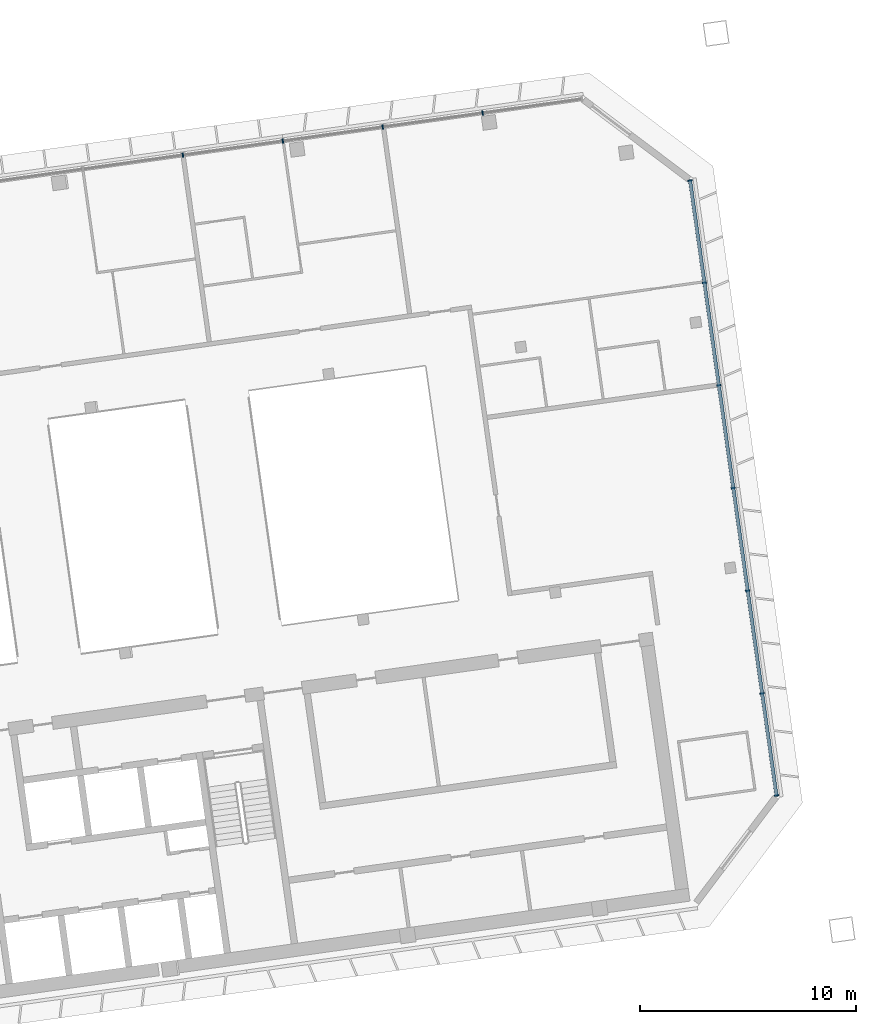
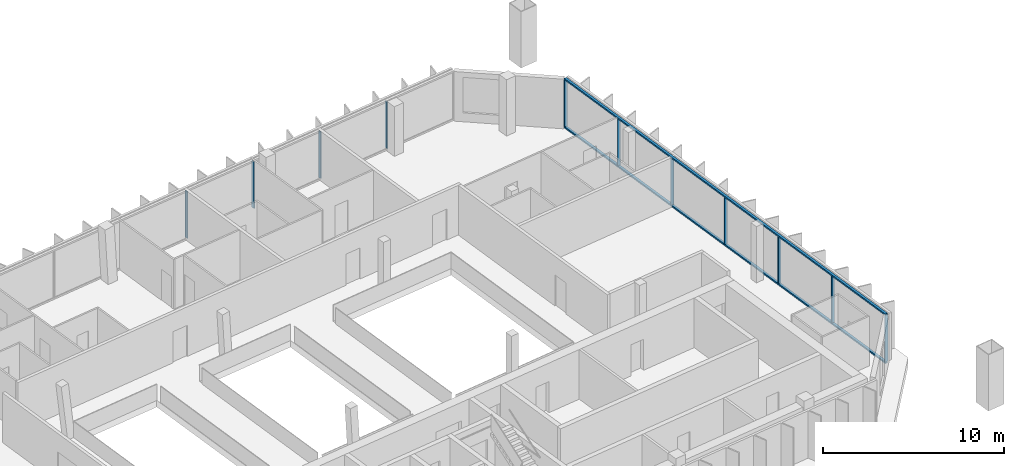
# One storey, part 9 of 20: 13 members, 2 elements without a shape of their own.
"""IFC4 building model written with IfcOpenShell, lengths in metres."""

from ifc_helpers import new_model, si_unit, direction, frame, origin, origin_2d, place, context, subcontext, project, spatial, rectangle, extrude, material, material_profile, profile_set, type_object, element, aggregate, save


model = new_model("IFC4")

# Units and contexts
model_context = context("Model", 3, precision=1e-05, world=origin(), true_north=direction((0.0, 1.0)))
body_context = subcontext(model_context, "Body", "Model", "MODEL_VIEW")
ifc_project = project(units=[si_unit("LENGTHUNIT", "METRE"), si_unit("AREAUNIT", "SQUARE_METRE"), si_unit("VOLUMEUNIT", "CUBIC_METRE"), si_unit("PLANEANGLEUNIT", "RADIAN"), si_unit("MASSUNIT", "GRAM", prefix="KILO")], contexts=[model_context])

# Site, building, storey
site_placement = place(None, origin())
site = spatial("IfcSite", under=ifc_project, at=site_placement, CompositionType="ELEMENT")
building_placement = place(site_placement, origin())
building = spatial("IfcBuilding", under=site, at=building_placement, Name="Mirante Cascada Hotel Towers", CompositionType="ELEMENT")
storey_placement = place(building_placement, frame((0.0, 0.0, 224.2)))
storey = spatial("IfcBuildingStorey", under=building, at=storey_placement, Name="L53", CompositionType="ELEMENT", Elevation=224.2)

# Curtain wall, members
ifc_material_1 = material(Name="Aluminium mullion and transom frame with clear laminated glass", Category="aluminium")
curtain_wall_type_1 = type_object("IfcCurtainWallType", Name="Ribbon curtain wall ECW1", PredefinedType="NOTDEFINED", material=ifc_material_1)
curtain_wall_1_placement = place(storey_placement, origin())
curtain_wall_1 = element("IfcCurtainWall", 1, at=curtain_wall_1_placement, inside=storey, type_object=curtain_wall_type_1, Name="Front ribbon wall T2 L53", PredefinedType="NOTDEFINED")
ifc_material_2 = material(Name="Anodised aluminium extrusion", Category="aluminium")
ifc_material_profile_1 = material_profile(ifc_material_2, rectangle(XDim=0.2, YDim=0.065, at=origin_2d()), Name="ECW1 MULLION 65x200")
ifc_profile_set_1 = profile_set([ifc_material_profile_1], Name="Anodised aluminium extrusion")
member_type_1 = type_object("IfcMemberType", Name="ECW1 mullion 65x200", PredefinedType="MULLION", material=ifc_profile_set_1)
member_1_placement = place(storey_placement, frame((62.7854, 21.6429, 0.1), z_axis=(0.0, 0.0, 1.0), x_axis=(0.1391731, -0.9902681, 0.0)))
member_1 = element("IfcMember", 2, at=member_1_placement, type_object=member_type_1, Name="ECW1 mullion 2", PredefinedType="MULLION", context=body_context, shape_type="SweptSolid", body=[
    extrude(rectangle(XDim=0.2, YDim=0.065, at=origin_2d()), origin(), (0.0, 0.0, 1.0), 3.15),
])
member_2_placement = place(storey_placement, frame((58.1499, 20.9915, 0.1), z_axis=(0.0, 0.0, 1.0), x_axis=(0.1391731, -0.9902681, 0.0)))
member_2 = element("IfcMember", 3, at=member_2_placement, type_object=member_type_1, Name="ECW1 mullion 3", PredefinedType="MULLION", context=body_context, shape_type="SweptSolid", body=[
    extrude(rectangle(XDim=0.2, YDim=0.065, at=origin_2d()), origin(), (0.0, 0.0, 1.0), 3.15),
])
member_3_placement = place(storey_placement, frame((53.5143, 20.34, 0.1), z_axis=(0.0, 0.0, 1.0), x_axis=(0.1391731, -0.9902681, 0.0)))
member_3 = element("IfcMember", 4, at=member_3_placement, type_object=member_type_1, Name="ECW1 mullion 4", PredefinedType="MULLION", context=body_context, shape_type="SweptSolid", body=[
    extrude(rectangle(XDim=0.2, YDim=0.065, at=origin_2d()), origin(), (0.0, 0.0, 1.0), 3.15),
])
member_4_placement = place(storey_placement, frame((48.8788, 19.6885, 0.1), z_axis=(0.0, 0.0, 1.0), x_axis=(0.1391731, -0.9902681, 0.0)))
member_4 = element("IfcMember", 5, at=member_4_placement, type_object=member_type_1, Name="ECW1 mullion 5", PredefinedType="MULLION", context=body_context, shape_type="SweptSolid", body=[
    extrude(rectangle(XDim=0.2, YDim=0.065, at=origin_2d()), origin(), (0.0, 0.0, 1.0), 3.15),
])
aggregate(curtain_wall_1, [member_1, member_2, member_3, member_4])

ifc_material_3 = material(Name="Aluminium mullion and transom frame with clear laminated glass", Category="aluminium")
curtain_wall_type_2 = type_object("IfcCurtainWallType", Name="End ribbon curtain wall ECW2", PredefinedType="NOTDEFINED", material=ifc_material_3)
curtain_wall_2_placement = place(storey_placement, origin())
curtain_wall_2 = element("IfcCurtainWall", 6, at=curtain_wall_2_placement, inside=storey, type_object=curtain_wall_type_2, Name="Outer end wall T2 L53", PredefinedType="NOTDEFINED")
ifc_material_4 = material(Name="Anodised aluminium extrusion", Category="aluminium")
ifc_material_profile_2 = material_profile(ifc_material_4, rectangle(XDim=0.2, YDim=0.065, at=origin_2d()), Name="ECW2 MULLION 65x200")
ifc_profile_set_2 = profile_set([ifc_material_profile_2], Name="Anodised aluminium extrusion")
member_type_2 = type_object("IfcMemberType", Name="ECW2 mullion 65x200", PredefinedType="MULLION", material=ifc_profile_set_2)
member_5_placement = place(storey_placement, frame((76.4184, -10.0233, 0.1), z_axis=(0.0, 0.0, 1.0), x_axis=(-0.9902681, -0.1391731, 0.0)))
member_5 = element("IfcMember", 7, at=member_5_placement, type_object=member_type_2, Name="ECW2 mullion 1", PredefinedType="MULLION", context=body_context, shape_type="SweptSolid", body=[
    extrude(rectangle(XDim=0.2, YDim=0.065, at=origin_2d()), origin(), (0.0, 0.0, 1.0), 3.15),
])
member_6_placement = place(storey_placement, frame((75.7531, -5.2897, 0.1), z_axis=(0.0, 0.0, 1.0), x_axis=(-0.9902681, -0.1391731, 0.0)))
member_6 = element("IfcMember", 8, at=member_6_placement, type_object=member_type_2, Name="ECW2 mullion 2", PredefinedType="MULLION", context=body_context, shape_type="SweptSolid", body=[
    extrude(rectangle(XDim=0.2, YDim=0.065, at=origin_2d()), origin(), (0.0, 0.0, 1.0), 3.15),
])
member_7_placement = place(storey_placement, frame((75.0833, -0.5239, 0.1), z_axis=(0.0, 0.0, 1.0), x_axis=(-0.9902681, -0.1391731, 0.0)))
member_7 = element("IfcMember", 9, at=member_7_placement, type_object=member_type_2, Name="ECW2 mullion 3", PredefinedType="MULLION", context=body_context, shape_type="SweptSolid", body=[
    extrude(rectangle(XDim=0.2, YDim=0.065, at=origin_2d()), origin(), (0.0, 0.0, 1.0), 3.15),
])
member_8_placement = place(storey_placement, frame((74.4135, 4.2419, 0.1), z_axis=(0.0, 0.0, 1.0), x_axis=(-0.9902681, -0.1391731, 0.0)))
member_8 = element("IfcMember", 10, at=member_8_placement, type_object=member_type_2, Name="ECW2 mullion 4", PredefinedType="MULLION", context=body_context, shape_type="SweptSolid", body=[
    extrude(rectangle(XDim=0.2, YDim=0.065, at=origin_2d()), origin(), (0.0, 0.0, 1.0), 3.15),
])
member_9_placement = place(storey_placement, frame((73.7437, 9.0077, 0.1), z_axis=(0.0, 0.0, 1.0), x_axis=(-0.9902681, -0.1391731, 0.0)))
member_9 = element("IfcMember", 11, at=member_9_placement, type_object=member_type_2, Name="ECW2 mullion 5", PredefinedType="MULLION", context=body_context, shape_type="SweptSolid", body=[
    extrude(rectangle(XDim=0.2, YDim=0.065, at=origin_2d()), origin(), (0.0, 0.0, 1.0), 3.15),
])
member_10_placement = place(storey_placement, frame((73.0739, 13.7735, 0.1), z_axis=(0.0, 0.0, 1.0), x_axis=(-0.9902681, -0.1391731, 0.0)))
member_10 = element("IfcMember", 12, at=member_10_placement, type_object=member_type_2, Name="ECW2 mullion 6", PredefinedType="MULLION", context=body_context, shape_type="SweptSolid", body=[
    extrude(rectangle(XDim=0.2, YDim=0.065, at=origin_2d()), origin(), (0.0, 0.0, 1.0), 3.15),
])
member_11_placement = place(storey_placement, frame((72.4087, 18.5071, 0.1), z_axis=(0.0, 0.0, 1.0), x_axis=(-0.9902681, -0.1391731, 0.0)))
member_11 = element("IfcMember", 13, at=member_11_placement, type_object=member_type_2, Name="ECW2 mullion 7", PredefinedType="MULLION", context=body_context, shape_type="SweptSolid", body=[
    extrude(rectangle(XDim=0.2, YDim=0.065, at=origin_2d()), origin(), (0.0, 0.0, 1.0), 3.15),
])
ifc_material_5 = material(Name="Anodised aluminium extrusion", Category="aluminium")
ifc_material_profile_3 = material_profile(ifc_material_5, rectangle(XDim=0.16, YDim=0.1, at=origin_2d()), Name="ECW2 TRANSOM 100x160")
ifc_profile_set_3 = profile_set([ifc_material_profile_3], Name="Anodised aluminium extrusion")
member_type_3 = type_object("IfcMemberType", Name="ECW2 transom 100x160", PredefinedType="USERDEFINED", material=ifc_profile_set_3)
member_12_placement = place(storey_placement, frame((76.4229, -10.0554, 0.05), z_axis=(-0.1391723, 0.9902682, 0.0), x_axis=(-0.9902682, -0.1391723, 0.0)))
member_12 = element("IfcMember", 14, at=member_12_placement, type_object=member_type_3, Name="ECW2 sill transom", ObjectType="TRANSOM", PredefinedType="USERDEFINED", context=body_context, shape_type="SweptSolid", body=[
    extrude(rectangle(XDim=0.16, YDim=0.1, at=origin_2d()), origin(), (0.0, 0.0, 1.0), 28.8757),
])
member_13_placement = place(storey_placement, frame((76.4229, -10.0554, 3.3), z_axis=(-0.1391723, 0.9902682, 0.0), x_axis=(-0.9902682, -0.1391723, 0.0)))
member_13 = element("IfcMember", 15, at=member_13_placement, type_object=member_type_3, Name="ECW2 head transom", ObjectType="TRANSOM", PredefinedType="USERDEFINED", context=body_context, shape_type="SweptSolid", body=[
    extrude(rectangle(XDim=0.16, YDim=0.1, at=origin_2d()), origin(), (0.0, 0.0, 1.0), 28.8757),
])
aggregate(curtain_wall_2, [member_12, member_13, member_5, member_6, member_7, member_8, member_9, member_10, member_11])

save(model, "model.ifc")
